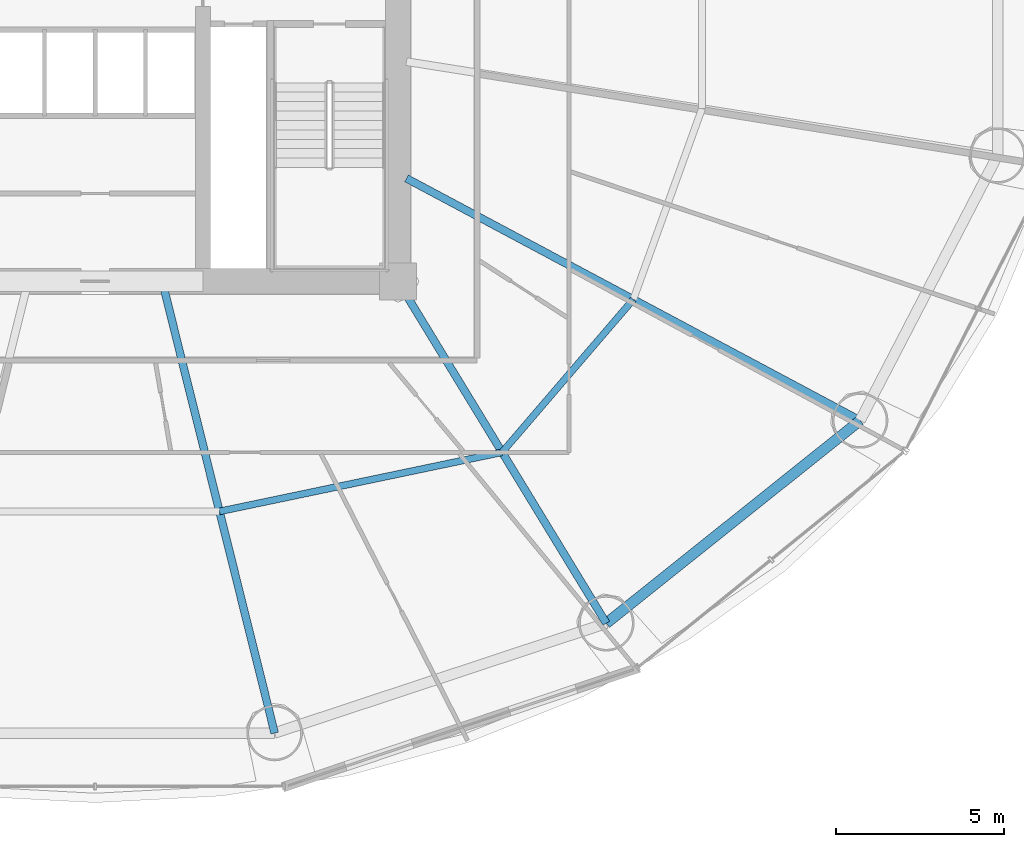
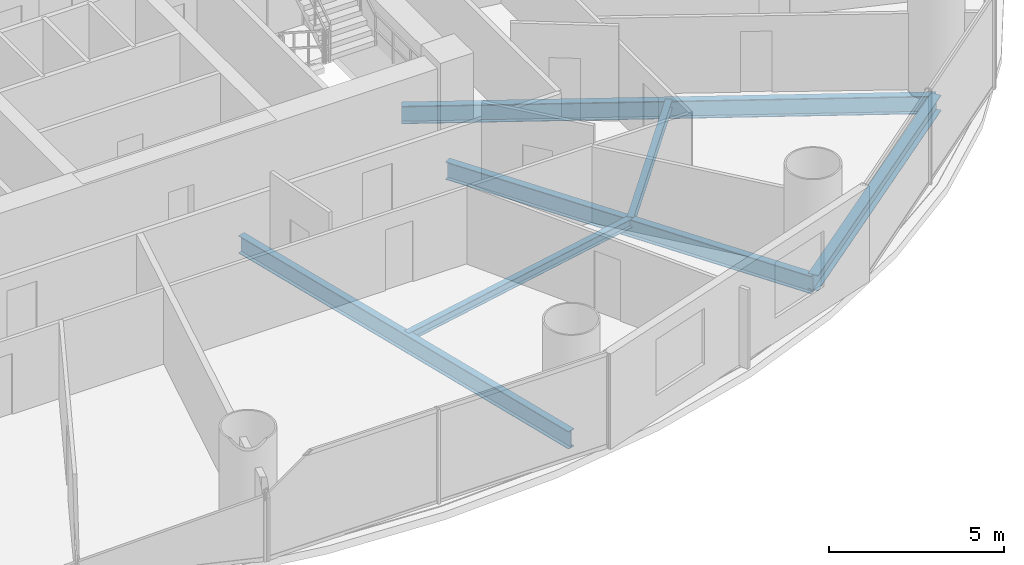
# One storey, part 11 of 30: 6 beams.
"""IFC4 building model written with IfcOpenShell, lengths in metres."""

import ifcopenshell
import ifcopenshell.guid

model = None  # the IFC model being written
_history = None  # IfcOwnerHistory: only IFC2X3 demands one
_inside = {}  # id of a spatial element -> (the spatial element, [elements in it])
_under = {}  # id of a project, library or spatial element -> (it, [spatial elements below it])
_declared = {}  # id of a project -> (the project, [libraries it declares])
_typed = {}  # id of a type object -> (the type object, [elements of that type])
_made_of = {}  # id of a material, layer set ... -> (it, [elements and type objects made of it])


def new_model(schema):
    """Start an empty IFC model of exactly this schema.

    Asked for "IFC4X3", IfcOpenShell would pick the latest addendum, in which some entities
    have other attributes; the version numbers below select the first issue.
    IFC2X3 requires an IfcOwnerHistory on every rooted entity: one is made here for all.
    """
    global model, _history
    if schema == "IFC4X3":
        model = ifcopenshell.file(schema_version=(4, 3, 0, 0))
    else:
        model = ifcopenshell.file(schema=schema)
    _inside.clear()
    _under.clear()
    _declared.clear()
    _typed.clear()
    _made_of.clear()
    _history = None
    if model.schema == "IFC2X3":
        org = make("IfcOrganization", Name="unknown")
        user = make(
            "IfcPersonAndOrganization",
            ThePerson=make("IfcPerson", FamilyName="unknown"),
            TheOrganization=org,
        )
        app = make(
            "IfcApplication",
            ApplicationDeveloper=org,
            Version="unknown",
            ApplicationFullName="unknown",
            ApplicationIdentifier="unknown",
        )
        _history = make(
            "IfcOwnerHistory",
            OwningUser=user,
            OwningApplication=app,
            ChangeAction="ADDED",
            CreationDate=0,
        )
    return model


def make(cls, **values):
    """One entity of the class cls with the attributes given. An attribute that is None is left unset."""
    return model.create_entity(
        cls, **{name: value for name, value in values.items() if value is not None}
    )


def rooted(cls, **values):
    """An entity with a GlobalId (a new one), such as an element, a storey or a relation."""
    return make(cls, GlobalId=ifcopenshell.guid.new(), OwnerHistory=_history, **values)


def si_unit(unit_type, name, prefix=None):
    """IfcSIUnit, for example si_unit("LENGTHUNIT", "METRE", prefix="MILLI")."""
    return make("IfcSIUnit", UnitType=unit_type, Prefix=prefix, Name=name)


def assignment(units):
    """IfcUnitAssignment: the units of a project."""
    return None if units is None else make("IfcUnitAssignment", Units=units)


def point(xyz):
    """IfcCartesianPoint."""
    return None if xyz is None else make("IfcCartesianPoint", Coordinates=xyz)


def direction(xyz):
    """IfcDirection."""
    return None if xyz is None else make("IfcDirection", DirectionRatios=xyz)


def frame(location, z_axis=None, x_axis=None):
    """IfcAxis2Placement3D, a coordinate frame: its origin and axes. An axis left out is left unset."""
    return make(
        "IfcAxis2Placement3D",
        Location=point(location),
        Axis=direction(z_axis),
        RefDirection=direction(x_axis),
    )


def frame_2d(location, x_axis=None):
    """IfcAxis2Placement2D, a coordinate frame in the plane: its origin and x axis."""
    return make(
        "IfcAxis2Placement2D", Location=point(location), RefDirection=direction(x_axis)
    )


def origin():
    """The frame at (0, 0, 0) with its axes left unset."""
    return frame((0.0, 0.0, 0.0))


def origin_2d():
    """The frame at (0, 0) in the plane with its x axis left unset."""
    return frame_2d((0.0, 0.0))


def place(relative_to, where):
    """IfcLocalPlacement: puts the frame where relative to a parent placement (None: the world)."""
    return make(
        "IfcLocalPlacement", PlacementRelTo=relative_to, RelativePlacement=where
    )


def context(
    kind, dimensions, precision=None, world=None, true_north=None, identifier=None
):
    """IfcGeometricRepresentationContext, for example the 3D "Model" context."""
    return make(
        "IfcGeometricRepresentationContext",
        ContextIdentifier=identifier,
        ContextType=kind,
        CoordinateSpaceDimension=dimensions,
        Precision=precision,
        WorldCoordinateSystem=world,
        TrueNorth=true_north,
    )


def subcontext(parent, identifier, kind, view, scale=None):
    """IfcGeometricRepresentationSubContext, for example "Body" below "Model"."""
    return make(
        "IfcGeometricRepresentationSubContext",
        ContextIdentifier=identifier,
        ContextType=kind,
        ParentContext=parent,
        TargetScale=scale,
        TargetView=view,
    )


def project(units=None, contexts=None):
    """IfcProject with its units and contexts."""
    return rooted(
        "IfcProject",
        Name="project",
        RepresentationContexts=contexts,
        UnitsInContext=assignment(units),
    )


def spatial(cls, under=None, at=None, **own):
    """A site, building, storey or space (cls), placed at a placement, below another one or the project."""
    s = rooted(cls, ObjectPlacement=at, **own)
    if under is not None:
        _under.setdefault(under.id(), (under, []))[1].append(s)
    return s


def profile(cls, at=None, kind="AREA", **sizes):
    """A parametric profile (cls). Its sizes go by their IFC names, for example OverallWidth=200.0."""
    return make(cls, ProfileType=kind, Position=at, **sizes)


def i_section(**sizes):
    """IfcIShapeProfileDef."""
    return profile("IfcIShapeProfileDef", **sizes)


def extrude(swept, where, along, depth):
    """IfcExtrudedAreaSolid: the profile swept, set in the frame where, extruded along a direction by depth."""
    return make(
        "IfcExtrudedAreaSolid",
        SweptArea=swept,
        Position=where,
        ExtrudedDirection=direction(along),
        Depth=depth,
    )


def shape(context_of_items, identifier, shape_type, items):
    """IfcShapeRepresentation: the items that make up one representation, for example the "Body"."""
    return make(
        "IfcShapeRepresentation",
        ContextOfItems=context_of_items,
        RepresentationIdentifier=identifier,
        RepresentationType=shape_type,
        Items=items,
    )


def material(Name=None, Category=None):
    """IfcMaterial."""
    return make("IfcMaterial", Name=Name, Category=Category)


def material_profile(
    of_material, cross_section, Name=None, Category=None, Priority=None
):
    """IfcMaterialProfile: a cross section and its material."""
    return make(
        "IfcMaterialProfile",
        Name=Name,
        Material=of_material,
        Profile=cross_section,
        Priority=Priority,
        Category=Category,
    )


def profile_set(profiles, Name=None, composite=None):
    """IfcMaterialProfileSet."""
    return make(
        "IfcMaterialProfileSet",
        Name=Name,
        MaterialProfiles=profiles,
        CompositeProfile=composite,
    )


def made_of(thing, what):
    """Note that an element or type object is made of a material, layer set ...; save() writes the relation."""
    if what is not None:
        _made_of.setdefault(what.id(), (what, []))[1].append(thing)
    return thing


def type_object(cls, material=None, **own):
    """A type object (cls), such as IfcWallType, which elements share."""
    return made_of(rooted(cls, **own), material)


def element(
    cls,
    number,
    at=None,
    inside=None,
    cuts=None,
    type_object=None,
    material=None,
    context=None,
    identifier="Body",
    shape_type=None,
    held_by="IfcProductDefinitionShape",
    body=None,
    shapes=None,
    **own,
):
    """One element of the class cls, such as IfcWall. Its Tag is "e" and its number.

    at: its placement. inside: the storey or other place that contains it. cuts: it is an
    opening in that element (IfcRelVoidsElement). A single representation is given by context,
    identifier, shape_type and body (its items); several are given by shapes. held_by: the class
    of the entity that holds the representations. save() writes the other relations.
    """
    e = rooted(cls, Tag="e%d" % number, ObjectPlacement=at, **own)
    if body is not None:
        shapes = [shape(context, identifier, shape_type, body)]
    if shapes is not None:
        e.Representation = make(held_by, Representations=shapes)
    if inside is not None:
        _inside.setdefault(inside.id(), (inside, []))[1].append(e)
    if cuts is not None:
        rooted(
            "IfcRelVoidsElement", RelatingBuildingElement=cuts, RelatedOpeningElement=e
        )
    if type_object is not None:
        _typed.setdefault(type_object.id(), (type_object, []))[1].append(e)
    return made_of(e, material)


def aggregate(whole, parts):
    """IfcRelAggregates: a whole, such as a stair, and the parts it consists of."""
    return rooted("IfcRelAggregates", RelatingObject=whole, RelatedObjects=parts)


def save(model, path):
    """Write the relations noted so far, then the file.

    IfcRelAggregates (storeys below a building ...), IfcRelContainedInSpatialStructure (elements
    in a storey), IfcRelDefinesByType, IfcRelAssociatesMaterial and IfcRelDeclares: one each for
    every whole, place, type object, material and project.
    """
    for whole, parts in _under.values():
        aggregate(whole, parts)
    for where, things in _inside.values():
        rooted(
            "IfcRelContainedInSpatialStructure",
            RelatedElements=things,
            RelatingStructure=where,
        )
    for kind, things in _typed.values():
        rooted("IfcRelDefinesByType", RelatedObjects=things, RelatingType=kind)
    for what, things in _made_of.values():
        rooted("IfcRelAssociatesMaterial", RelatedObjects=things, RelatingMaterial=what)
    for by, libraries in _declared.values():
        rooted("IfcRelDeclares", RelatingContext=by, RelatedDefinitions=libraries)
    model.write(path)


model = new_model("IFC4")

# Units and contexts
model_context = context("Model", 3, precision=1e-05, world=origin(), true_north=direction((-0.2419218956, 0.970295726276)))
body_context = subcontext(model_context, "Body", "Model", "MODEL_VIEW")
ifc_project = project(units=[si_unit("LENGTHUNIT", "METRE"), si_unit("AREAUNIT", "SQUARE_METRE"), si_unit("VOLUMEUNIT", "CUBIC_METRE"), si_unit("PLANEANGLEUNIT", "RADIAN"), si_unit("MASSUNIT", "GRAM", prefix="KILO")], contexts=[model_context])

# Site, building, storey
site_placement = place(None, origin())
site = spatial("IfcSite", under=ifc_project, at=site_placement, CompositionType="ELEMENT")
building_placement = place(site_placement, origin())
building = spatial("IfcBuilding", under=site, at=building_placement, Name="Cobrevalo Terracotta Tower", CompositionType="ELEMENT")
storey_placement = place(building_placement, frame((0.0, 0.0, 27.60009765625)))
storey = spatial("IfcBuildingStorey", under=building, at=storey_placement, Name="L06", CompositionType="ELEMENT", Elevation=27.60009765625)

# Beams
ifc_material = material(Name="Steel S355", Category="steel")
ifc_material_profile_1 = material_profile(ifc_material, i_section(OverallWidth=0.22998046875, OverallDepth=0.616943359375, WebThickness=0.01318359375, FlangeThickness=0.022216796875, at=origin_2d()), Name="W 610x140")
ifc_profile_set_1 = profile_set([ifc_material_profile_1], Name="Steel S355")
beam_type_1 = type_object("IfcBeamType", Name="Structural Beam W 610x140 (Steel S355)", PredefinedType="BEAM", material=ifc_profile_set_1)
beam_1_placement = place(storey_placement, frame((43.335693359375, 5.369873046875, -0.588623046875), z_axis=(-0.241600470374, 0.970375810042, 0.0), x_axis=(-0.970375810042, -0.241600470374, 0.0)))
element("IfcBeam", 1, at=beam_1_placement, inside=storey, type_object=beam_type_1, Name="L06 radial floor girder 13", PredefinedType="BEAM", context=body_context, shape_type="SweptSolid", body=[
    extrude(i_section(OverallWidth=0.22998046875, OverallDepth=0.616943359375, WebThickness=0.01318359375, FlangeThickness=0.022216796875, at=origin_2d()), origin(), (0.0, 0.0, 1.0), 13.5771484375),
])
beam_2_placement = place(storey_placement, frame((53.19482421875, 8.63232421875, -0.588623046875), z_axis=(-0.520300780853, 0.853983077961, 0.0), x_axis=(-0.853983077961, -0.520300780853, 0.0)))
element("IfcBeam", 2, at=beam_2_placement, inside=storey, type_object=beam_type_1, Name="L06 radial floor girder 14", PredefinedType="BEAM", context=body_context, shape_type="SweptSolid", body=[
    extrude(i_section(OverallWidth=0.22998046875, OverallDepth=0.616943359375, WebThickness=0.01318359375, FlangeThickness=0.022216796875, at=origin_2d()), origin(), (0.0, 0.0, 1.0), 11.90625),
])
beam_3_placement = place(storey_placement, frame((60.74072265625, 14.660888671875, -0.588623046875), z_axis=(-0.88218223571, 0.470908168329, 0.0), x_axis=(-0.470908168329, -0.88218223571, 0.0)))
element("IfcBeam", 3, at=beam_3_placement, inside=storey, type_object=beam_type_1, Name="L06 radial floor girder 15", PredefinedType="BEAM", context=body_context, shape_type="SweptSolid", body=[
    extrude(i_section(OverallWidth=0.22998046875, OverallDepth=0.616943359375, WebThickness=0.01318359375, FlangeThickness=0.022216796875, at=origin_2d()), origin(), (0.0, 0.0, 1.0), 15.286865234375),
])
ifc_material_profile_2 = material_profile(ifc_material, i_section(OverallWidth=0.2041015625, OverallDepth=0.305908203125, WebThickness=0.008544921875, FlangeThickness=0.0146484375, at=origin_2d()), Name="W 310x67")
ifc_profile_set_2 = profile_set([ifc_material_profile_2], Name="Steel S355")
beam_type_2 = type_object("IfcBeamType", Name="Structural Joist W 310x67 (Steel S355)", PredefinedType="JOIST", material=ifc_profile_set_2)
beam_4_placement = place(storey_placement, frame((41.695556640625, 11.95751953125, -0.43310546875), z_axis=(0.978784523904, 0.204892302848, 0.0), x_axis=(-0.204892302848, 0.978784523904, 0.0)))
element("IfcBeam", 4, at=beam_4_placement, inside=storey, type_object=beam_type_2, Name="L06 circumferential secondary floor joist 13", PredefinedType="JOIST", context=body_context, shape_type="SweptSolid", body=[
    extrude(i_section(OverallWidth=0.2041015625, OverallDepth=0.305908203125, WebThickness=0.008544921875, FlangeThickness=0.0146484375, at=origin_2d()), origin(), (0.0, 0.0, 1.0), 8.583984375),
])
beam_5_placement = place(storey_placement, frame((50.097412109375, 13.71630859375, -0.43310546875), z_axis=(0.651328404454, 0.758795960421, 0.0), x_axis=(-0.758795960421, 0.651328404454, 0.0)))
element("IfcBeam", 5, at=beam_5_placement, inside=storey, type_object=beam_type_2, Name="L06 circumferential secondary floor joist 14", PredefinedType="JOIST", context=body_context, shape_type="SweptSolid", body=[
    extrude(i_section(OverallWidth=0.2041015625, OverallDepth=0.305908203125, WebThickness=0.008544921875, FlangeThickness=0.0146484375, at=origin_2d()), origin(), (0.0, 0.0, 1.0), 5.98828125),
])
ifc_material_profile_3 = material_profile(ifc_material, i_section(OverallWidth=0.31201171875, OverallDepth=0.54296875, WebThickness=0.0126953125, FlangeThickness=0.020263671875, at=origin_2d()), Name="W 530x150")
ifc_profile_set_3 = profile_set([ifc_material_profile_3], Name="Steel S355")
beam_type_3 = type_object("IfcBeamType", Name="Structural Spandrel W 530x150 (Steel S355)", PredefinedType="SPANDREL", material=ifc_profile_set_3)
beam_6_placement = place(storey_placement, frame((53.19482421875, 8.63232421875, -0.551513671875), z_axis=(0.781280479891, 0.62418011162, 0.0), x_axis=(-0.62418011162, 0.781280479891, 0.0)))
element("IfcBeam", 6, at=beam_6_placement, inside=storey, type_object=beam_type_3, Name="L06 perimeter ring spandrel 14", PredefinedType="SPANDREL", context=body_context, shape_type="SweptSolid", body=[
    extrude(i_section(OverallWidth=0.31201171875, OverallDepth=0.54296875, WebThickness=0.0126953125, FlangeThickness=0.020263671875, at=origin_2d()), origin(), (0.0, 0.0, 1.0), 9.658447265625),
])

save(model, "model.ifc")
